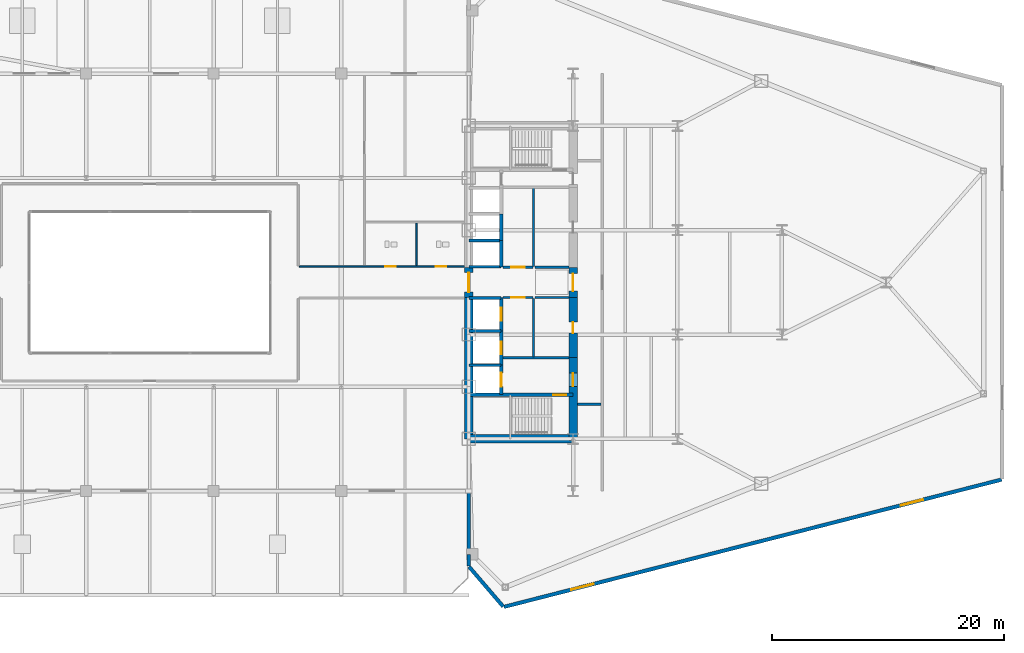
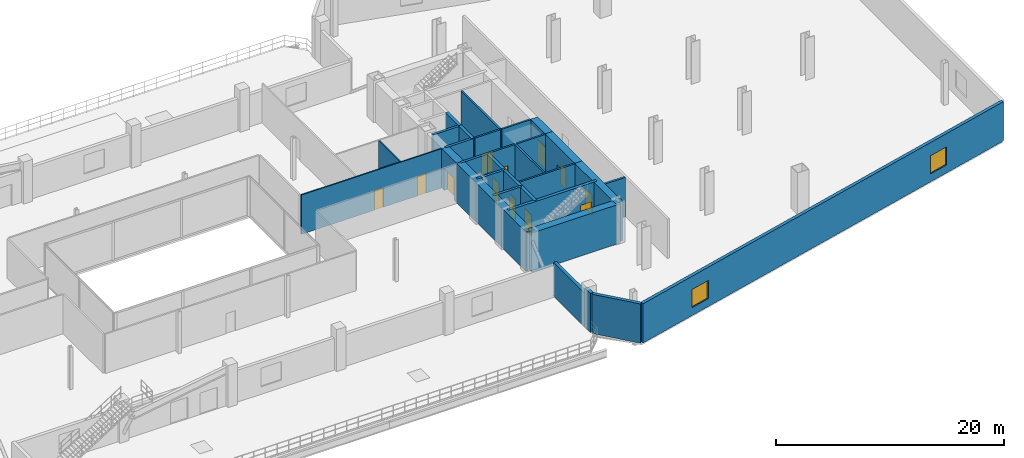
# One storey, part 20 of 27: 31 walls, 12 doors, 2 windows, 14 openings.
"""IFC4 building model written with IfcOpenShell, lengths in metres."""

from ifc_helpers import new_model, si_unit, direction, frame, frame_2d, origin, place, context, subcontext, project, spatial, rectangle, extrude, source, transform, mapped, material, layer, layer_set, type_object, type_shapes, element, fill, save


model = new_model("IFC4")

# Units and contexts
model_context = context("Model", 3, precision=1e-05, world=origin(), true_north=direction((0.0, 1.0)))
body_context = subcontext(model_context, "Body", "Model", "MODEL_VIEW")
ifc_project = project(units=[si_unit("LENGTHUNIT", "METRE"), si_unit("AREAUNIT", "SQUARE_METRE"), si_unit("VOLUMEUNIT", "CUBIC_METRE"), si_unit("PLANEANGLEUNIT", "RADIAN"), si_unit("MASSUNIT", "GRAM", prefix="KILO")], contexts=[model_context])

# Site, building, storey
site_placement = place(None, origin())
site = spatial("IfcSite", under=ifc_project, at=site_placement, CompositionType="ELEMENT")
building_placement = place(site_placement, origin())
building = spatial("IfcBuilding", under=site, at=building_placement, Name="Seokmaru Belvedere", CompositionType="ELEMENT")
storey_placement = place(building_placement, frame((0.0, 0.0, 9.89990234375)))
storey = spatial("IfcBuildingStorey", under=building, at=storey_placement, Name="L02", CompositionType="ELEMENT", Elevation=9.89990234375)

# Walls
ifc_material_1 = material(Name="Fire-Rated Gypsum Shaftwall")
ifc_layer_1 = layer(ifc_material_1, 0.179931640625)
ifc_layer_set_1 = layer_set([ifc_layer_1], Name="Fire-Rated Gypsum Shaftwall")
wall_type_1 = type_object("IfcWallType", Name="Core Service Fire Partition 180", PredefinedType="PARTITIONING", material=ifc_layer_set_1)
wall_1_placement = place(storey_placement, frame((30.449951171875, -6.5, 0.0), z_axis=(0.0, 0.0, 1.0), x_axis=(1.0, 0.0, 0.0)))
element("IfcWall", 1, at=wall_1_placement, inside=storey, type_object=wall_type_1, Name="L02 East Firefighting Lobby Partition", PredefinedType="PARTITIONING", context=body_context, shape_type="SweptSolid", body=[
    extrude(rectangle(XDim=5.699951171875, YDim=0.179931640625, at=frame_2d((2.85009765625, 0.0))), origin(), (0.0, 0.0, 1.0), 4.22021484375),
])
wall_2_placement = place(storey_placement, frame((33.10009765625, -6.419921875, 0.0), z_axis=(0.0, 0.0, 1.0), x_axis=(0.0, 1.0, 0.0)))
element("IfcWall", 2, at=wall_2_placement, inside=storey, type_object=wall_type_1, Name="L02 East South Core Service Back Wall", PredefinedType="PARTITIONING", context=body_context, shape_type="SweptSolid", body=[
    extrude(rectangle(XDim=5.0400390625, YDim=0.179931640625, at=frame_2d((2.52001953125, 0.0))), origin(), (0.0, 0.0, 1.0), 4.22021484375),
])
wall_3_placement = place(storey_placement, frame((33.10009765625, 1.3798828125, 0.0), z_axis=(0.0, 0.0, 1.0), x_axis=(0.0, 1.0, 0.0)))
element("IfcWall", 3, at=wall_3_placement, inside=storey, type_object=wall_type_1, Name="L02 East North Core Service Back Wall", PredefinedType="PARTITIONING", context=body_context, shape_type="SweptSolid", body=[
    extrude(rectangle(XDim=6.740234375, YDim=0.179931640625, at=frame_2d((3.3701171875, 0.0))), origin(), (0.0, 0.0, 1.0), 4.22021484375),
])

# Wall, opening, door
wall_4_placement = place(storey_placement, frame((30.449951171875, -1.300048828125, 0.0), z_axis=(0.0, 0.0, 1.0), x_axis=(1.0, 0.0, 0.0)))
wall_4 = element("IfcWall", 4, at=wall_4_placement, inside=storey, type_object=wall_type_1, Name="L02 East South Lift Lobby Foyer Wall", PredefinedType="PARTITIONING", context=body_context, shape_type="SweptSolid", body=[
    extrude(rectangle(XDim=2.570068359375, YDim=0.179931640625, at=frame_2d((1.28515625, 0.0))), origin(), (0.0, 0.0, 1.0), 4.22021484375),
])
opening_1_placement = place(wall_4_placement, frame((0.7099609375, 0.0, 0.0)))
opening_1 = element("IfcOpeningElement", 5, at=opening_1_placement, cuts=wall_4, Name="Opening D02", PredefinedType="OPENING", context=body_context, shape_type="SweptSolid", body=[
    extrude(rectangle(XDim=1.14990234375, YDim=2.199951171875, at=frame_2d((0.574951171875, 1.10009765625))), frame((0.0, 0.10009765625, 0.0), z_axis=(0.0, -1.0, 0.0), x_axis=(1.0, 0.0, 0.0)), (0.0, 0.0, 1.0), 0.199951171875),
])
ifc_material_2 = material(Name="Fire-Rated Steel Leaf", Category="steel")
door_type_1 = type_object("IfcDoorType", Name="Lobby and Vestibule Fire Door 1150x2200", OperationType="NOTDEFINED", PredefinedType="DOOR", material=ifc_material_2)
shared_shape_1 = source(origin(), body_context, "Body", "SweptSolid", [
    extrude(rectangle(XDim=1.14990234375, YDim=2.199951171875, at=frame_2d((0.574951171875, 1.10009765625))), frame((0.0, 0.02490234375, 0.0), z_axis=(0.0, -1.0, 0.0), x_axis=(1.0, 0.0, 0.0)), (0.0, 0.0, 1.0), 0.050048828125),
])
type_shapes(door_type_1, [shared_shape_1])
door_1_placement = place(opening_1_placement, origin())
door_1 = element("IfcDoor", 6, at=door_1_placement, inside=storey, type_object=door_type_1, Name="L02 East South Core Foyer Door", OperationType="SINGLE_SWING_RIGHT", OverallHeight=2.199951171875, OverallWidth=1.14990234375, PredefinedType="DOOR", context=body_context, shape_type="MappedRepresentation", body=[
    mapped(shared_shape_1, transform((0.0, 0.0, 0.0), scale=1.0)),
])
fill(opening_1, door_1)

wall_5_placement = place(storey_placement, frame((30.449951171875, 1.300048828125, 0.0), z_axis=(0.0, 0.0, 1.0), x_axis=(1.0, 0.0, 0.0)))
wall_5 = element("IfcWall", 7, at=wall_5_placement, inside=storey, type_object=wall_type_1, Name="L02 East North Lift Lobby Foyer Wall", PredefinedType="PARTITIONING", context=body_context, shape_type="SweptSolid", body=[
    extrude(rectangle(XDim=2.570068359375, YDim=0.179931640625, at=frame_2d((1.28515625, 0.0))), origin(), (0.0, 0.0, 1.0), 4.22021484375),
])
opening_2_placement = place(wall_5_placement, frame((0.7099609375, 0.0, 0.0)))
opening_2 = element("IfcOpeningElement", 8, at=opening_2_placement, cuts=wall_5, Name="Opening D02", PredefinedType="OPENING", context=body_context, shape_type="SweptSolid", body=[
    extrude(rectangle(XDim=1.14990234375, YDim=2.199951171875, at=frame_2d((0.574951171875, 1.10009765625))), frame((0.0, 0.10009765625, 0.0), z_axis=(0.0, -1.0, 0.0), x_axis=(1.0, 0.0, 0.0)), (0.0, 0.0, 1.0), 0.199951171875),
])
door_2_placement = place(opening_2_placement, origin())
door_2 = element("IfcDoor", 9, at=door_2_placement, inside=storey, type_object=door_type_1, Name="L02 East North Lift Lobby Door", OperationType="SINGLE_SWING_LEFT", OverallHeight=2.199951171875, OverallWidth=1.14990234375, PredefinedType="DOOR", context=body_context, shape_type="MappedRepresentation", body=[
    mapped(shared_shape_1, transform((0.0, 0.0, 0.0), scale=1.0)),
])
fill(opening_2, door_2)

# Walls
for number, where, z_axis, x_axis, name in (
    (10, (33.199951171875, -1.300048828125, 0.0), (0.0, 0.0, 1.0), (1.0, 0.0, 0.0), "L02 East Foyer Side Wall S"),
    (11, (33.199951171875, 1.300048828125, 0.0), (0.0, 0.0, 1.0), (1.0, 0.0, 0.0), "L02 East Foyer Side Wall N"),
):
    element("IfcWall", number, at=place(storey_placement, frame(where, z_axis=z_axis, x_axis=x_axis)), inside=storey, type_object=wall_type_1, Name=name, PredefinedType="PARTITIONING", context=body_context, shape_type="SweptSolid", body=[
        extrude(rectangle(XDim=2.949951171875, YDim=0.179931640625, at=frame_2d((1.47509765625, 0.0))), origin(), (0.0, 0.0, 1.0), 4.22021484375),
    ])
ifc_material_3 = material(Name="Concrete C50 (50 MPa)", Category="concrete")
ifc_layer_2 = layer(ifc_material_3, 0.25)
ifc_layer_set_2 = layer_set([ifc_layer_2], Name="Concrete C50 (50 MPa)")
wall_type_2 = type_object("IfcWallType", Name="Hoistway Transverse Concrete Divider Wall 250", PredefinedType="SHEAR", material=ifc_layer_set_2)
for number, where, z_axis, x_axis, name in (
    (12, (27.5, -7.14990234375, 0.0), (0.0, 0.0, 1.0), (1.0, 0.0, 0.0), "L02 East Hoistway Divider Core Wall 1"),
    (13, (27.5, -4.199951171875, 0.0), (0.0, 0.0, 1.0), (1.0, 0.0, 0.0), "L02 East Hoistway Divider Core Wall 2"),
    (14, (27.5, -1.35009765625, 0.0), (0.0, 0.0, 1.0), (1.0, 0.0, 0.0), "L02 East Hoistway Divider Core Wall 3"),
    (15, (27.5, 1.35009765625, 0.0), (0.0, 0.0, 1.0), (1.0, 0.0, 0.0), "L02 East Hoistway Divider Core Wall 4"),
    (16, (27.5, 3.60009765625, 0.0), (0.0, 0.0, 1.0), (1.0, 0.0, 0.0), "L02 East Hoistway Divider Core Wall 5"),
):
    element("IfcWall", number, at=place(storey_placement, frame(where, z_axis=z_axis, x_axis=x_axis)), inside=storey, type_object=wall_type_2, Name=name, PredefinedType="SHEAR", context=body_context, shape_type="SweptSolid", body=[
        extrude(rectangle(XDim=2.800048828125, YDim=0.25, at=frame_2d((1.39990234375, 0.0))), origin(), (0.0, 0.0, 1.0), 4.22021484375),
    ])
ifc_layer_3 = layer(ifc_material_1, 0.199951171875)
ifc_layer_set_3 = layer_set([ifc_layer_3], Name="Fire-Rated Gypsum Shaftwall")
wall_type_3 = type_object("IfcWallType", Name="Inter-Tenancy Fire Compartment Partition 200", PredefinedType="PARTITIONING", material=ifc_layer_set_3)
wall_6_placement = place(storey_placement, frame((36.8798828125, -10.5, 0.0), z_axis=(0.0, 0.0, 1.0), x_axis=(1.0, 0.0, 0.0)))
element("IfcWall", 17, at=wall_6_placement, inside=storey, type_object=wall_type_3, Name="L02 Interior Partition 002", PredefinedType="PARTITIONING", context=body_context, shape_type="SweptSolid", body=[
    extrude(rectangle(XDim=2.03515625, YDim=0.199951171875, at=frame_2d((1.017578125, 0.0))), origin(), (0.0, 0.0, 1.0), 4.22021484375),
])

# Wall, opening, door
ifc_layer_4 = layer(ifc_material_3, 0.300048828125)
ifc_layer_set_4 = layer_set([ifc_layer_4], Name="Concrete C50 (50 MPa)")
wall_type_4 = type_object("IfcWallType", Name="Internal Core Stair and Hoistway Wall 300", PredefinedType="SHEAR", material=ifc_layer_set_4)
wall_7_placement = place(storey_placement, frame((27.5, -9.699951171875, 0.0), z_axis=(0.0, 0.0, 1.0), x_axis=(1.0, 0.0, 0.0)))
wall_7 = element("IfcWall", 18, at=wall_7_placement, inside=storey, type_object=wall_type_4, Name="L02 East Stair ST-1 Enclosure Wall", PredefinedType="SHEAR", context=body_context, shape_type="SweptSolid", body=[
    extrude(rectangle(XDim=9.0, YDim=0.300048828125, at=frame_2d((4.5, 0.0))), origin(), (0.0, 0.0, 1.0), 4.22021484375),
])
opening_3_placement = place(wall_7_placement, frame((7.300048828125, 0.0, 0.0)))
opening_3 = element("IfcOpeningElement", 19, at=opening_3_placement, cuts=wall_7, Name="Opening D01", PredefinedType="OPENING", context=body_context, shape_type="SweptSolid", body=[
    extrude(rectangle(XDim=1.10009765625, YDim=2.199951171875, at=frame_2d((0.550048828125, 1.10009765625))), frame((0.0, 0.16015625, 0.0), z_axis=(0.0, -1.0, 0.0), x_axis=(1.0, 0.0, 0.0)), (0.0, 0.0, 1.0), 0.320068359375),
])
door_type_2 = type_object("IfcDoorType", Name="Special Escape Stair Smokeproof Fire Door 1100x2200", OperationType="NOTDEFINED", PredefinedType="DOOR", material=ifc_material_2)
shared_shape_2 = source(origin(), body_context, "Body", "SweptSolid", [
    extrude(rectangle(XDim=1.10009765625, YDim=2.199951171875, at=frame_2d((0.550048828125, 1.10009765625))), frame((0.0, 0.02490234375, 0.0), z_axis=(0.0, -1.0, 0.0), x_axis=(1.0, 0.0, 0.0)), (0.0, 0.0, 1.0), 0.050048828125),
])
type_shapes(door_type_2, [shared_shape_2])
door_3_placement = place(opening_3_placement, frame((1.10009765625, 0.0, 0.0), z_axis=(0.0, 0.0, 1.0), x_axis=(-1.0, 0.0, 0.0)))
door_3 = element("IfcDoor", 20, at=door_3_placement, inside=storey, type_object=door_type_2, Name="L02 East Special Escape Stair ST-1 Door", OperationType="SINGLE_SWING_RIGHT", OverallHeight=2.199951171875, OverallWidth=1.10009765625, PredefinedType="DOOR", context=body_context, shape_type="MappedRepresentation", body=[
    mapped(shared_shape_2, transform((0.0, 0.0, 0.0), scale=1.0)),
])
fill(opening_3, door_3)

wall_8_placement = place(storey_placement, frame((30.300048828125, -9.679931640625, 0.0), z_axis=(0.0, 0.0, 1.0), x_axis=(0.0, 1.0, 0.0)))
wall_8 = element("IfcWall", 21, at=wall_8_placement, inside=storey, type_object=wall_type_4, Name="L02 East Firefighting Lift Shaft Front Wall", PredefinedType="SHEAR", context=body_context, shape_type="SweptSolid", body=[
    extrude(rectangle(XDim=2.559814453125, YDim=0.300048828125, at=frame_2d((1.27978515625, 0.0))), origin(), (0.0, 0.0, 1.0), 4.22021484375),
])
opening_4_placement = place(wall_8_placement, frame((0.679931640625, 0.0, 0.0)))
opening_4 = element("IfcOpeningElement", 22, at=opening_4_placement, cuts=wall_8, Name="Opening LD2", PredefinedType="OPENING", context=body_context, shape_type="SweptSolid", body=[
    extrude(rectangle(XDim=1.199951171875, YDim=2.25, at=frame_2d((0.60009765625, 1.125))), frame((0.0, 0.16015625, 0.0), z_axis=(0.0, -1.0, 0.0), x_axis=(1.0, 0.0, 0.0)), (0.0, 0.0, 1.0), 0.320068359375),
])
ifc_material_4 = material(Name="Stainless Steel 316", Category="steel")
door_type_3 = type_object("IfcDoorType", Name="Firefighting Lift Sliding Landing Door 1200x2250", OperationType="DOUBLE_DOOR_SLIDING", PredefinedType="DOOR", material=ifc_material_4)
shared_shape_3 = source(origin(), body_context, "Body", "SweptSolid", [
    extrude(rectangle(XDim=1.199951171875, YDim=2.25, at=frame_2d((0.60009765625, 1.125))), frame((0.0, 0.02490234375, 0.0), z_axis=(0.0, -1.0, 0.0), x_axis=(1.0, 0.0, 0.0)), (0.0, 0.0, 1.0), 0.050048828125),
])
type_shapes(door_type_3, [shared_shape_3])
door_4_placement = place(opening_4_placement, origin())
door_4 = element("IfcDoor", 23, at=door_4_placement, inside=storey, type_object=door_type_3, Name="L02 East Firefighting Lift Landing Door", OperationType="DOUBLE_DOOR_SLIDING", OverallHeight=2.25, OverallWidth=1.199951171875, PredefinedType="DOOR", context=body_context, shape_type="MappedRepresentation", body=[
    mapped(shared_shape_3, transform((0.0, 0.0, 0.0), scale=1.0)),
])
fill(opening_4, door_4)

wall_9_placement = place(storey_placement, frame((30.300048828125, -7.1201171875, 0.0), z_axis=(0.0, 0.0, 1.0), x_axis=(0.0, 1.0, 0.0)))
wall_9 = element("IfcWall", 24, at=wall_9_placement, inside=storey, type_object=wall_type_4, Name="L02 East Low-Rise Lift PL-1 Front Wall", PredefinedType="SHEAR", context=body_context, shape_type="SweptSolid", body=[
    extrude(rectangle(XDim=2.920166015625, YDim=0.300048828125, at=frame_2d((1.4599609375, 0.0))), origin(), (0.0, 0.0, 1.0), 4.22021484375),
])
opening_5_placement = place(wall_9_placement, frame((0.909912109375, 0.0, 0.0)))
opening_5 = element("IfcOpeningElement", 25, at=opening_5_placement, cuts=wall_9, Name="Opening LD1", PredefinedType="OPENING", context=body_context, shape_type="SweptSolid", body=[
    extrude(rectangle(XDim=1.10009765625, YDim=2.199951171875, at=frame_2d((0.550048828125, 1.10009765625))), frame((0.0, 0.16015625, 0.0), z_axis=(0.0, -1.0, 0.0), x_axis=(1.0, 0.0, 0.0)), (0.0, 0.0, 1.0), 0.320068359375),
])
door_type_4 = type_object("IfcDoorType", Name="Passenger Lift Sliding Landing Door 1100x2200", OperationType="DOUBLE_DOOR_SLIDING", PredefinedType="DOOR", material=ifc_material_4)
shared_shape_4 = source(origin(), body_context, "Body", "SweptSolid", [
    extrude(rectangle(XDim=1.10009765625, YDim=2.199951171875, at=frame_2d((0.550048828125, 1.10009765625))), frame((0.0, 0.02490234375, 0.0), z_axis=(0.0, -1.0, 0.0), x_axis=(1.0, 0.0, 0.0)), (0.0, 0.0, 1.0), 0.050048828125),
])
type_shapes(door_type_4, [shared_shape_4])
door_5_placement = place(opening_5_placement, origin())
door_5 = element("IfcDoor", 26, at=door_5_placement, inside=storey, type_object=door_type_4, Name="L02 East Low-Rise Lift PL-1 Landing Door", OperationType="DOUBLE_DOOR_SLIDING", OverallHeight=2.199951171875, OverallWidth=1.10009765625, PredefinedType="DOOR", context=body_context, shape_type="MappedRepresentation", body=[
    mapped(shared_shape_4, transform((0.0, 0.0, 0.0), scale=1.0)),
])
fill(opening_5, door_5)

wall_10_placement = place(storey_placement, frame((30.300048828125, -4.199951171875, 0.0), z_axis=(0.0, 0.0, 1.0), x_axis=(0.0, 1.0, 0.0)))
wall_10 = element("IfcWall", 27, at=wall_10_placement, inside=storey, type_object=wall_type_4, Name="L02 East Low-Rise Lift PL-2 Front Wall", PredefinedType="SHEAR", context=body_context, shape_type="SweptSolid", body=[
    extrude(rectangle(XDim=2.8798828125, YDim=0.300048828125, at=frame_2d((1.43994140625, 0.0))), origin(), (0.0, 0.0, 1.0), 4.22021484375),
])
opening_6_placement = place(wall_10_placement, frame((0.889892578125, 0.0, 0.0)))
opening_6 = element("IfcOpeningElement", 28, at=opening_6_placement, cuts=wall_10, Name="Opening LD1", PredefinedType="OPENING", context=body_context, shape_type="SweptSolid", body=[
    extrude(rectangle(XDim=1.10009765625, YDim=2.199951171875, at=frame_2d((0.550048828125, 1.10009765625))), frame((0.0, 0.16015625, 0.0), z_axis=(0.0, -1.0, 0.0), x_axis=(1.0, 0.0, 0.0)), (0.0, 0.0, 1.0), 0.320068359375),
])
door_6_placement = place(opening_6_placement, origin())
door_6 = element("IfcDoor", 29, at=door_6_placement, inside=storey, type_object=door_type_4, Name="L02 East Low-Rise Lift PL-2 Landing Door", OperationType="DOUBLE_DOOR_SLIDING", OverallHeight=2.199951171875, OverallWidth=1.10009765625, PredefinedType="DOOR", context=body_context, shape_type="MappedRepresentation", body=[
    mapped(shared_shape_4, transform((0.0, 0.0, 0.0), scale=1.0)),
])
fill(opening_6, door_6)

# Walls
wall_11_placement = place(storey_placement, frame((30.300048828125, 1.320068359375, 0.0), z_axis=(0.0, 0.0, 1.0), x_axis=(0.0, 1.0, 0.0)))
element("IfcWall", 30, at=wall_11_placement, inside=storey, type_object=wall_type_4, Name="L02 East North Hoistway Wall PH1", PredefinedType="SHEAR", context=body_context, shape_type="SweptSolid", body=[
    extrude(rectangle(XDim=2.280029296875, YDim=0.300048828125, at=frame_2d((1.14013671875, 0.0))), origin(), (0.0, 0.0, 1.0), 4.22021484375),
])
wall_12_placement = place(storey_placement, frame((30.300048828125, 3.60009765625, 0.0), z_axis=(0.0, 0.0, 1.0), x_axis=(0.0, 1.0, 0.0)))
element("IfcWall", 31, at=wall_12_placement, inside=storey, type_object=wall_type_4, Name="L02 East North Hoistway Wall PH2", PredefinedType="SHEAR", context=body_context, shape_type="SweptSolid", body=[
    extrude(rectangle(XDim=2.2998046875, YDim=0.300048828125, at=frame_2d((1.14990234375, 0.0))), origin(), (0.0, 0.0, 1.0), 4.22021484375),
])
ifc_material_5 = material(Name="Concrete C60 (60 MPa)", Category="concrete")
ifc_layer_5 = layer(ifc_material_5, 0.75)
ifc_layer_set_5 = layer_set([ifc_layer_5], Name="Concrete C60 (60 MPa)")
wall_type_5 = type_object("IfcWallType", Name="Lower Tower Reinforced Concrete Core Wall 750", PredefinedType="SHEAR", material=ifc_layer_set_5)
wall_13_placement = place(storey_placement, frame((27.5, -13.5, 0.0), z_axis=(0.0, 0.0, 1.0), x_axis=(0.0, 1.0, 0.0)))
element("IfcWall", 32, at=wall_13_placement, inside=storey, type_object=wall_type_5, Name="L02 East Portal Spine Core Wall South", PredefinedType="SHEAR", context=body_context, shape_type="SweptSolid", body=[
    extrude(rectangle(XDim=12.199951171875, YDim=0.75, at=frame_2d((6.10009765625, 0.0))), origin(), (0.0, 0.0, 1.0), 4.22021484375),
])

# Wall, opening, door
wall_14_placement = place(storey_placement, frame((27.5, -1.300048828125, 0.0), z_axis=(0.0, 0.0, 1.0), x_axis=(0.0, 1.0, 0.0)))
wall_14 = element("IfcWall", 33, at=wall_14_placement, inside=storey, type_object=wall_type_5, Name="L02 East Portal Spine Core Wall Center", PredefinedType="SHEAR", context=body_context, shape_type="SweptSolid", body=[
    extrude(rectangle(XDim=2.60009765625, YDim=0.75, at=frame_2d((1.300048828125, 0.0))), origin(), (0.0, 0.0, 1.0), 4.22021484375),
])
opening_7_placement = place(wall_14_placement, frame((0.449951171875, 0.0, 0.0)))
opening_7 = element("IfcOpeningElement", 34, at=opening_7_placement, cuts=wall_14, Name="Opening D09", PredefinedType="OPENING", context=body_context, shape_type="SweptSolid", body=[
    extrude(rectangle(XDim=1.699951171875, YDim=2.35009765625, at=frame_2d((0.85009765625, 1.175048828125))), frame((0.0, 0.385009765625, 0.0), z_axis=(0.0, -1.0, 0.0), x_axis=(1.0, 0.0, 0.0)), (0.0, 0.0, 1.0), 0.77001953125),
])
door_type_5 = type_object("IfcDoorType", Name="Sky-Gate Bridge Inter-Tower Fire Door 1700x2350", OperationType="DOUBLE_SWING_LEFT", PredefinedType="DOOR", material=ifc_material_2)
shared_shape_5 = source(origin(), body_context, "Body", "SweptSolid", [
    extrude(rectangle(XDim=1.699951171875, YDim=2.35009765625, at=frame_2d((0.85009765625, 1.175048828125))), frame((0.0, 0.02490234375, 0.0), z_axis=(0.0, -1.0, 0.0), x_axis=(1.0, 0.0, 0.0)), (0.0, 0.0, 1.0), 0.050048828125),
])
type_shapes(door_type_5, [shared_shape_5])
door_7_placement = place(opening_7_placement, origin())
door_7 = element("IfcDoor", 35, at=door_7_placement, inside=storey, type_object=door_type_5, Name="L02 East Inter-Tower Fire Door", OperationType="DOUBLE_SWING_LEFT", OverallHeight=2.35009765625, OverallWidth=1.699951171875, PredefinedType="DOOR", context=body_context, shape_type="MappedRepresentation", body=[
    mapped(shared_shape_5, transform((0.0, 0.0, 0.0), scale=1.0)),
])
fill(opening_7, door_7)

# Wall
wall_15_placement = place(storey_placement, frame((27.5, -13.5, 0.0), z_axis=(0.0, 0.0, 1.0), x_axis=(1.0, 0.0, 0.0)))
element("IfcWall", 36, at=wall_15_placement, inside=storey, type_object=wall_type_5, Name="L02 East South Core Wall", PredefinedType="SHEAR", context=body_context, shape_type="SweptSolid", body=[
    extrude(rectangle(XDim=9.0, YDim=0.75, at=frame_2d((4.5, 0.0))), origin(), (0.0, 0.0, 1.0), 4.22021484375),
])

# Wall, opening, door
wall_16_placement = place(storey_placement, frame((36.5, -13.64990234375, 0.0), z_axis=(0.0, 0.0, 1.0), x_axis=(0.0, 1.0, 0.0)))
wall_16 = element("IfcWall", 37, at=wall_16_placement, inside=storey, type_object=wall_type_5, Name="L02 East West Core Wall FF", PredefinedType="SHEAR", context=body_context, shape_type="SweptSolid", body=[
    extrude(rectangle(XDim=7.14990234375, YDim=0.75, at=frame_2d((3.574951171875, 0.0))), origin(), (0.0, 0.0, 1.0), 4.22021484375),
])
opening_8_placement = place(wall_16_placement, frame((4.675048828125, 0.0, 0.0)))
opening_8 = element("IfcOpeningElement", 38, at=opening_8_placement, cuts=wall_16, Name="Opening D02", PredefinedType="OPENING", context=body_context, shape_type="SweptSolid", body=[
    extrude(rectangle(XDim=1.14990234375, YDim=2.199951171875, at=frame_2d((0.574951171875, 1.10009765625))), frame((0.0, 0.385009765625, 0.0), z_axis=(0.0, -1.0, 0.0), x_axis=(1.0, 0.0, 0.0)), (0.0, 0.0, 1.0), 0.77001953125),
])
door_8_placement = place(opening_8_placement, origin())
door_8 = element("IfcDoor", 39, at=door_8_placement, inside=storey, type_object=door_type_1, Name="L02 East Firefighting Lobby Door", OperationType="SINGLE_SWING_RIGHT", OverallHeight=2.199951171875, OverallWidth=1.14990234375, PredefinedType="DOOR", context=body_context, shape_type="MappedRepresentation", body=[
    mapped(shared_shape_1, transform((0.0, 0.0, 0.0), scale=1.0)),
])
fill(opening_8, door_8)

wall_17_placement = place(storey_placement, frame((36.5, -1.300048828125, 0.0), z_axis=(0.0, 0.0, 1.0), x_axis=(0.0, 1.0, 0.0)))
wall_17 = element("IfcWall", 40, at=wall_17_placement, inside=storey, type_object=wall_type_5, Name="L02 East West Core Wall FOY", PredefinedType="SHEAR", context=body_context, shape_type="SweptSolid", body=[
    extrude(rectangle(XDim=2.60009765625, YDim=0.75, at=frame_2d((1.300048828125, 0.0))), origin(), (0.0, 0.0, 1.0), 4.22021484375),
])
opening_9_placement = place(wall_17_placement, frame((0.550048828125, 0.0, 0.0)))
opening_9 = element("IfcOpeningElement", 41, at=opening_9_placement, cuts=wall_17, Name="Opening D08", PredefinedType="OPENING", context=body_context, shape_type="SweptSolid", body=[
    extrude(rectangle(XDim=1.5, YDim=2.300048828125, at=frame_2d((0.75, 1.14990234375))), frame((0.0, 0.385009765625, 0.0), z_axis=(0.0, -1.0, 0.0), x_axis=(1.0, 0.0, 0.0)), (0.0, 0.0, 1.0), 0.77001953125),
])
door_type_6 = type_object("IfcDoorType", Name="Cross-Corridor Compartment Double Fire Door 1500x2300", OperationType="DOUBLE_SWING_LEFT", PredefinedType="DOOR", material=ifc_material_2)
shared_shape_6 = source(origin(), body_context, "Body", "SweptSolid", [
    extrude(rectangle(XDim=1.5, YDim=2.300048828125, at=frame_2d((0.75, 1.14990234375))), frame((0.0, 0.02490234375, 0.0), z_axis=(0.0, -1.0, 0.0), x_axis=(1.0, 0.0, 0.0)), (0.0, 0.0, 1.0), 0.050048828125),
])
type_shapes(door_type_6, [shared_shape_6])
door_9_placement = place(opening_9_placement, origin())
door_9 = element("IfcDoor", 42, at=door_9_placement, inside=storey, type_object=door_type_6, Name="L02 East Core Foyer Compartment Door", OperationType="DOUBLE_SWING_LEFT", OverallHeight=2.300048828125, OverallWidth=1.5, PredefinedType="DOOR", context=body_context, shape_type="MappedRepresentation", body=[
    mapped(shared_shape_6, transform((0.0, 0.0, 0.0), scale=1.0)),
])
fill(opening_9, door_9)

wall_18_placement = place(storey_placement, frame((36.5, -6.5, 0.0), z_axis=(0.0, 0.0, 1.0), x_axis=(0.0, 1.0, 0.0)))
wall_18 = element("IfcWall", 43, at=wall_18_placement, inside=storey, type_object=wall_type_5, Name="L02 East West Core Wall CS1", PredefinedType="SHEAR", context=body_context, shape_type="SweptSolid", body=[
    extrude(rectangle(XDim=5.199951171875, YDim=0.75, at=frame_2d((2.60009765625, 0.0))), origin(), (0.0, 0.0, 1.0), 4.22021484375),
])
opening_10_placement = place(wall_18_placement, frame((2.125, 0.0, 0.0)))
opening_10 = element("IfcOpeningElement", 44, at=opening_10_placement, cuts=wall_18, Name="Opening D04", PredefinedType="OPENING", context=body_context, shape_type="SweptSolid", body=[
    extrude(rectangle(XDim=0.949951171875, YDim=2.14990234375, at=frame_2d((0.47509765625, 1.074951171875))), frame((0.0, 0.385009765625, 0.0), z_axis=(0.0, -1.0, 0.0), x_axis=(1.0, 0.0, 0.0)), (0.0, 0.0, 1.0), 0.77001953125),
])
door_type_7 = type_object("IfcDoorType", Name="Core Service Room Fire Door 950x2150", OperationType="NOTDEFINED", PredefinedType="DOOR", material=ifc_material_2)
shared_shape_7 = source(origin(), body_context, "Body", "SweptSolid", [
    extrude(rectangle(XDim=0.949951171875, YDim=2.14990234375, at=frame_2d((0.47509765625, 1.074951171875))), frame((0.0, 0.02490234375, 0.0), z_axis=(0.0, -1.0, 0.0), x_axis=(1.0, 0.0, 0.0)), (0.0, 0.0, 1.0), 0.050048828125),
])
type_shapes(door_type_7, [shared_shape_7])
door_10_placement = place(opening_10_placement, origin())
door_10 = element("IfcDoor", 45, at=door_10_placement, inside=storey, type_object=door_type_7, Name="L02 East Core Service Room Door 1", OperationType="SINGLE_SWING_RIGHT", OverallHeight=2.14990234375, OverallWidth=0.949951171875, PredefinedType="DOOR", context=body_context, shape_type="MappedRepresentation", body=[
    mapped(shared_shape_7, transform((0.0, 0.0, 0.0), scale=1.0)),
])
fill(opening_10, door_10)

# Wall, openings, doors
ifc_layer_6 = layer(ifc_material_1, 0.1298828125)
ifc_layer_set_6 = layer_set([ifc_layer_6], Name="Fire-Rated Gypsum Shaftwall")
wall_type_6 = type_object("IfcWallType", Name="Moisture-Resistant Fire-Rated Bathroom Partition 130", PredefinedType="PARTITIONING", material=ifc_layer_set_6)
wall_19_placement = place(storey_placement, frame((12.885009765625, 1.35009765625, 0.0), z_axis=(0.0, 0.0, 1.0), x_axis=(1.0, 0.0, 0.0)))
wall_19 = element("IfcWall", 46, at=wall_19_placement, inside=storey, type_object=wall_type_6, Name="L02 Interior Partition 007", PredefinedType="PARTITIONING", context=body_context, shape_type="SweptSolid", body=[
    extrude(rectangle(XDim=14.235107421875, YDim=0.1298828125, at=frame_2d((7.11767578125, 0.0))), origin(), (0.0, 0.0, 1.0), 4.22021484375),
])
opening_11_placement = place(wall_19_placement, frame((7.425048828125, 0.0, 0.0)))
opening_11 = element("IfcOpeningElement", 47, at=opening_11_placement, cuts=wall_19, Name="Opening D06", PredefinedType="OPENING", context=body_context, shape_type="SweptSolid", body=[
    extrude(rectangle(XDim=0.8798828125, YDim=2.10009765625, at=frame_2d((0.43994140625, 1.050048828125))), frame((0.0, 0.074951171875, 0.0), z_axis=(0.0, -1.0, 0.0), x_axis=(1.0, 0.0, 0.0)), (0.0, 0.0, 1.0), 0.14990234375),
])
opening_12_placement = place(wall_19_placement, frame((11.77490234375, 0.0, 0.0)))
opening_12 = element("IfcOpeningElement", 48, at=opening_12_placement, cuts=wall_19, Name="Opening D06", PredefinedType="OPENING", context=body_context, shape_type="SweptSolid", body=[
    extrude(rectangle(XDim=0.8798828125, YDim=2.10009765625, at=frame_2d((0.43994140625, 1.050048828125))), frame((0.0, 0.074951171875, 0.0), z_axis=(0.0, -1.0, 0.0), x_axis=(1.0, 0.0, 0.0)), (0.0, 0.0, 1.0), 0.14990234375),
])
ifc_material_6 = material(Name="Engineered White Oak Timber", Category="wood")
door_type_8 = type_object("IfcDoorType", Name="Bathroom and Restroom Fire-Rated Door 880x2100", OperationType="NOTDEFINED", PredefinedType="DOOR", material=ifc_material_6)
shared_shape_8 = source(origin(), body_context, "Body", "SweptSolid", [
    extrude(rectangle(XDim=0.8798828125, YDim=2.10009765625, at=frame_2d((0.43994140625, 1.050048828125))), frame((0.0, 0.02490234375, 0.0), z_axis=(0.0, -1.0, 0.0), x_axis=(1.0, 0.0, 0.0)), (0.0, 0.0, 1.0), 0.050048828125),
])
type_shapes(door_type_8, [shared_shape_8])
door_11_placement = place(opening_11_placement, origin())
door_11 = element("IfcDoor", 49, at=door_11_placement, inside=storey, type_object=door_type_8, Name="L02 Interior Door 005", OperationType="SINGLE_SWING_LEFT", OverallHeight=2.10009765625, OverallWidth=0.8798828125, PredefinedType="DOOR", context=body_context, shape_type="MappedRepresentation", body=[
    mapped(shared_shape_8, transform((0.0, 0.0, 0.0), scale=1.0)),
])
fill(opening_11, door_11)
door_12_placement = place(opening_12_placement, origin())
door_12 = element("IfcDoor", 50, at=door_12_placement, inside=storey, type_object=door_type_8, Name="L02 Interior Door 006", OperationType="SINGLE_SWING_RIGHT", OverallHeight=2.10009765625, OverallWidth=0.8798828125, PredefinedType="DOOR", context=body_context, shape_type="MappedRepresentation", body=[
    mapped(shared_shape_8, transform((0.0, 0.0, 0.0), scale=1.0)),
])
fill(opening_12, door_12)

# Walls
wall_20_placement = place(storey_placement, frame((23.0, 1.43505859375, 0.0), z_axis=(0.0, 0.0, 1.0), x_axis=(0.0, 1.0, 0.0)))
element("IfcWall", 51, at=wall_20_placement, inside=storey, type_object=wall_type_6, Name="L02 Interior Partition 018", PredefinedType="PARTITIONING", context=body_context, shape_type="SweptSolid", body=[
    extrude(rectangle(XDim=3.679931640625, YDim=0.1298828125, at=frame_2d((1.83984375, 0.0))), origin(), (0.0, 0.0, 1.0), 4.22021484375),
])
ifc_material_7 = material(Name="Concrete C40 (40 MPa)", Category="concrete")
ifc_layer_7 = layer(ifc_material_7, 0.320068359375)
ifc_layer_set_7 = layer_set([ifc_layer_7], Name="Concrete C40 (40 MPa)")
wall_type_7 = type_object("IfcWallType", Name="Podium Terrace Insulated Wall 320", PredefinedType="SOLIDWALL", material=ifc_layer_set_7)
wall_21_placement = place(storey_placement, frame((27.5, -24.449951171875, 0.0), z_axis=(0.0, 0.0, 1.0), x_axis=(0.0, 1.0, 0.0)))
element("IfcWall", 52, at=wall_21_placement, inside=storey, type_object=wall_type_7, Name="L02 Exterior Podium Spine Wall 05S", PredefinedType="SOLIDWALL", context=body_context, shape_type="SweptSolid", body=[
    extrude(rectangle(XDim=0.973876953125, YDim=0.320068359375, at=frame_2d((0.48681640625, 0.0))), origin(), (0.0, 0.0, 1.0), 4.22021484375),
])
wall_22_placement = place(storey_placement, frame((27.5, -23.47607421875, 0.0), z_axis=(0.0, 0.0, 1.0), x_axis=(0.0, 1.0, 0.0)))
element("IfcWall", 53, at=wall_22_placement, inside=storey, type_object=wall_type_7, Name="L02 Exterior Podium Spine Wall 05S Part 2", PredefinedType="SOLIDWALL", context=body_context, shape_type="SweptSolid", body=[
    extrude(rectangle(XDim=5.47607421875, YDim=0.320068359375, at=frame_2d((2.738037109375, 0.0))), origin(), (0.0, 0.0, 1.0), 3.632080078125),
])
wall_23_placement = place(storey_placement, frame((27.52587890625, -24.530517578125, 0.0), z_axis=(0.0, 0.0, 1.0), x_axis=(0.650862388074, -0.759195726931, 0.0)))
element("IfcWall", 54, at=wall_23_placement, inside=storey, type_object=wall_type_7, Name="L02 Exterior Podium Wall 06", PredefinedType="SOLIDWALL", context=body_context, shape_type="SweptSolid", body=[
    extrude(rectangle(XDim=4.52978515625, YDim=0.320068359375, at=frame_2d((2.264892578125, 0.0))), origin(), (0.0, 0.0, 1.0), 4.22021484375),
])

# Wall, openings, windows
wall_24_placement = place(storey_placement, frame((30.538818359375, -27.989990234375, 0.0), z_axis=(0.0, 0.0, 1.0), x_axis=(0.968803566014, 0.247829882134, 0.0)))
wall_24 = element("IfcWall", 55, at=wall_24_placement, inside=storey, type_object=wall_type_7, Name="L02 Exterior Podium Wall 07", PredefinedType="SOLIDWALL", context=body_context, shape_type="SweptSolid", body=[
    extrude(rectangle(XDim=44.304443359375, YDim=0.320068359375, at=frame_2d((22.15234375, 0.0))), origin(), (0.0, 0.0, 1.0), 4.22021484375),
])
opening_13_placement = place(wall_24_placement, frame((6.0, 0.0, 0.85009765625)))
opening_13 = element("IfcOpeningElement", 56, at=opening_13_placement, cuts=wall_24, Name="Opening WN7", PredefinedType="OPENING", context=body_context, shape_type="SweptSolid", body=[
    extrude(rectangle(XDim=2.0, YDim=1.949951171875, at=frame_2d((1.0, 0.97509765625))), frame((0.0, 0.169921875, 0.0), z_axis=(0.0, -1.0, 0.0), x_axis=(1.0, 0.0, 0.0)), (0.0, 0.0, 1.0), 0.340087890625),
])
opening_14_placement = place(wall_24_placement, frame((35.304931640625, 0.0, 0.85009765625)))
opening_14 = element("IfcOpeningElement", 57, at=opening_14_placement, cuts=wall_24, Name="Opening WN7", PredefinedType="OPENING", context=body_context, shape_type="SweptSolid", body=[
    extrude(rectangle(XDim=2.0, YDim=1.949951171875, at=frame_2d((1.0, 0.97509765625))), frame((0.0, 0.169921875, 0.0), z_axis=(0.0, -1.0, 0.0), x_axis=(1.0, 0.0, 0.0)), (0.0, 0.0, 1.0), 0.340087890625),
])
ifc_material_8 = material(Name="Bronze Triple Insulating Glass", Category="glass")
window_type = type_object("IfcWindowType", Name="Podium Wing Corner Window 2000x1950", PartitioningType="SINGLE_PANEL", PredefinedType="WINDOW", material=ifc_material_8)
shared_shape_9 = source(origin(), body_context, "Body", "SweptSolid", [
    extrude(rectangle(XDim=2.0, YDim=1.949951171875, at=frame_2d((1.0, 0.97509765625))), frame((0.0, 0.030029296875, 0.0), z_axis=(0.0, -1.0, 0.0), x_axis=(1.0, 0.0, 0.0)), (0.0, 0.0, 1.0), 0.06005859375),
])
type_shapes(window_type, [shared_shape_9])
window_1_placement = place(opening_13_placement, origin())
window_1 = element("IfcWindow", 58, at=window_1_placement, inside=storey, type_object=window_type, Name="L02 Podium Gallery Window 6-1", OverallHeight=1.949951171875, OverallWidth=2.0, PartitioningType="SINGLE_PANEL", PredefinedType="WINDOW", context=body_context, shape_type="MappedRepresentation", body=[
    mapped(shared_shape_9, transform((0.0, 0.0, 0.0), scale=1.0)),
])
fill(opening_13, window_1)
window_2_placement = place(opening_14_placement, origin())
window_2 = element("IfcWindow", 59, at=window_2_placement, inside=storey, type_object=window_type, Name="L02 Podium Gallery Window 6-2", OverallHeight=1.949951171875, OverallWidth=2.0, PartitioningType="SINGLE_PANEL", PredefinedType="WINDOW", context=body_context, shape_type="MappedRepresentation", body=[
    mapped(shared_shape_9, transform((0.0, 0.0, 0.0), scale=1.0)),
])
fill(opening_14, window_2)

save(model, "model.ifc")
